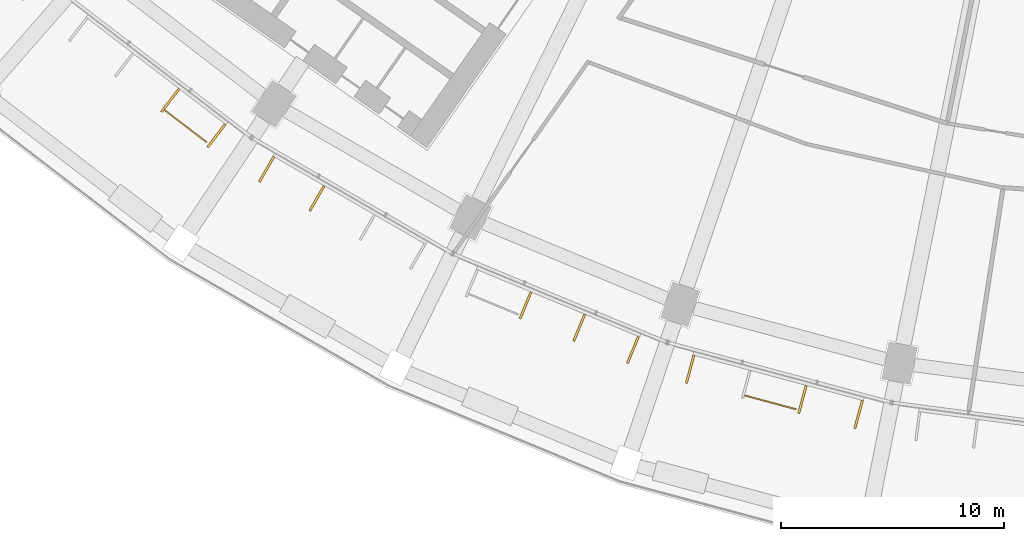
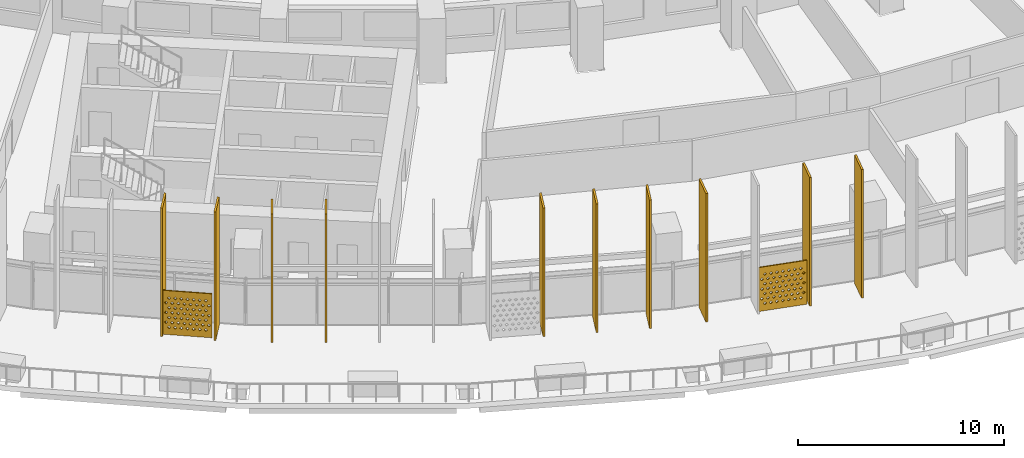
# One storey, part 25 of 35: 12 shading devices.
"""IFC4 building model written with IfcOpenShell, lengths in metres."""

from ifc_helpers import new_model, si_unit, direction, frame, origin, origin_2d, place, context, subcontext, project, spatial, polyline, rectangle, outline, extrude, material, material_profile, profile_set, type_object, element, save


model = new_model("IFC4")

# Units and contexts
model_context = context("Model", 3, precision=1e-05, world=origin(), true_north=direction((0.0, 1.0)))
body_context = subcontext(model_context, "Body", "Model", "MODEL_VIEW")
ifc_project = project(units=[si_unit("LENGTHUNIT", "METRE"), si_unit("AREAUNIT", "SQUARE_METRE"), si_unit("VOLUMEUNIT", "CUBIC_METRE"), si_unit("PLANEANGLEUNIT", "RADIAN"), si_unit("MASSUNIT", "GRAM", prefix="KILO")], contexts=[model_context])

# Site, building, storey
site_placement = place(None, origin())
site = spatial("IfcSite", under=ifc_project, at=site_placement, CompositionType="ELEMENT")
building_placement = place(site_placement, origin())
building = spatial("IfcBuilding", under=site, at=building_placement, Name="Qamariyya Broadcast Tower", CompositionType="ELEMENT")
storey_placement = place(building_placement, frame((0.0, 0.0, 40.5)))
storey = spatial("IfcBuildingStorey", under=building, at=storey_placement, Name="L06", CompositionType="ELEMENT", Elevation=40.5)

# Shading devices
ifc_material_1 = material(Name="Perforated glazed terracotta", Category="masonry")
ifc_material_profile_1 = material_profile(ifc_material_1, outline(polyline([(-1.199951171875, -1.300048828125), (1.199951171875, -1.300048828125), (1.199951171875, 1.300048828125), (-1.199951171875, 1.300048828125), (-1.199951171875, -1.300048828125)]), holes=[polyline([(-0.81494140625, -0.86669921875), (-0.89990234375, -0.78173828125), (-0.985107421875, -0.86669921875), (-0.89990234375, -0.95166015625), (-0.81494140625, -0.86669921875)]), polyline([(-0.514892578125, -0.86669921875), (-0.60009765625, -0.78173828125), (-0.68505859375, -0.86669921875), (-0.60009765625, -0.95166015625), (-0.514892578125, -0.86669921875)]), polyline([(-0.215087890625, -0.86669921875), (-0.300048828125, -0.78173828125), (-0.385009765625, -0.86669921875), (-0.300048828125, -0.95166015625), (-0.215087890625, -0.86669921875)]), polyline([(0.0849609375, -0.86669921875), (0.0, -0.78173828125), (-0.0849609375, -0.86669921875), (0.0, -0.95166015625), (0.0849609375, -0.86669921875)]), polyline([(0.385009765625, -0.86669921875), (0.300048828125, -0.78173828125), (0.215087890625, -0.86669921875), (0.300048828125, -0.95166015625), (0.385009765625, -0.86669921875)]), polyline([(0.68505859375, -0.86669921875), (0.60009765625, -0.78173828125), (0.514892578125, -0.86669921875), (0.60009765625, -0.95166015625), (0.68505859375, -0.86669921875)]), polyline([(0.985107421875, -0.86669921875), (0.89990234375, -0.78173828125), (0.81494140625, -0.86669921875), (0.89990234375, -0.95166015625), (0.985107421875, -0.86669921875)]), polyline([(-0.965087890625, -0.577880859375), (-1.050048828125, -0.49267578125), (-1.135009765625, -0.577880859375), (-1.050048828125, -0.662841796875), (-0.965087890625, -0.577880859375)]), polyline([(-0.6650390625, -0.577880859375), (-0.75, -0.49267578125), (-0.8349609375, -0.577880859375), (-0.75, -0.662841796875), (-0.6650390625, -0.577880859375)]), polyline([(-0.364990234375, -0.577880859375), (-0.449951171875, -0.49267578125), (-0.534912109375, -0.577880859375), (-0.449951171875, -0.662841796875), (-0.364990234375, -0.577880859375)]), polyline([(-0.06494140625, -0.577880859375), (-0.14990234375, -0.49267578125), (-0.235107421875, -0.577880859375), (-0.14990234375, -0.662841796875), (-0.06494140625, -0.577880859375)]), polyline([(0.235107421875, -0.577880859375), (0.14990234375, -0.49267578125), (0.06494140625, -0.577880859375), (0.14990234375, -0.662841796875), (0.235107421875, -0.577880859375)]), polyline([(0.534912109375, -0.577880859375), (0.449951171875, -0.49267578125), (0.364990234375, -0.577880859375), (0.449951171875, -0.662841796875), (0.534912109375, -0.577880859375)]), polyline([(0.8349609375, -0.577880859375), (0.75, -0.49267578125), (0.6650390625, -0.577880859375), (0.75, -0.662841796875), (0.8349609375, -0.577880859375)]), polyline([(1.135009765625, -0.577880859375), (1.050048828125, -0.49267578125), (0.965087890625, -0.577880859375), (1.050048828125, -0.662841796875), (1.135009765625, -0.577880859375)]), polyline([(-0.81494140625, -0.288818359375), (-0.89990234375, -0.203857421875), (-0.985107421875, -0.288818359375), (-0.89990234375, -0.373779296875), (-0.81494140625, -0.288818359375)]), polyline([(-0.514892578125, -0.288818359375), (-0.60009765625, -0.203857421875), (-0.68505859375, -0.288818359375), (-0.60009765625, -0.373779296875), (-0.514892578125, -0.288818359375)]), polyline([(-0.215087890625, -0.288818359375), (-0.300048828125, -0.203857421875), (-0.385009765625, -0.288818359375), (-0.300048828125, -0.373779296875), (-0.215087890625, -0.288818359375)]), polyline([(0.0849609375, -0.288818359375), (0.0, -0.203857421875), (-0.0849609375, -0.288818359375), (0.0, -0.373779296875), (0.0849609375, -0.288818359375)]), polyline([(0.385009765625, -0.288818359375), (0.300048828125, -0.203857421875), (0.215087890625, -0.288818359375), (0.300048828125, -0.373779296875), (0.385009765625, -0.288818359375)]), polyline([(0.68505859375, -0.288818359375), (0.60009765625, -0.203857421875), (0.514892578125, -0.288818359375), (0.60009765625, -0.373779296875), (0.68505859375, -0.288818359375)]), polyline([(0.985107421875, -0.288818359375), (0.89990234375, -0.203857421875), (0.81494140625, -0.288818359375), (0.89990234375, -0.373779296875), (0.985107421875, -0.288818359375)]), polyline([(-0.965087890625, 0.0), (-1.050048828125, 0.0849609375), (-1.135009765625, 0.0), (-1.050048828125, -0.0849609375), (-0.965087890625, 0.0)]), polyline([(-0.6650390625, 0.0), (-0.75, 0.0849609375), (-0.8349609375, 0.0), (-0.75, -0.0849609375), (-0.6650390625, 0.0)]), polyline([(-0.364990234375, 0.0), (-0.449951171875, 0.0849609375), (-0.534912109375, 0.0), (-0.449951171875, -0.0849609375), (-0.364990234375, 0.0)]), polyline([(-0.06494140625, 0.0), (-0.14990234375, 0.0849609375), (-0.235107421875, 0.0), (-0.14990234375, -0.0849609375), (-0.06494140625, 0.0)]), polyline([(0.235107421875, 0.0), (0.14990234375, 0.0849609375), (0.06494140625, 0.0), (0.14990234375, -0.0849609375), (0.235107421875, 0.0)]), polyline([(0.534912109375, 0.0), (0.449951171875, 0.0849609375), (0.364990234375, 0.0), (0.449951171875, -0.0849609375), (0.534912109375, 0.0)]), polyline([(0.8349609375, 0.0), (0.75, 0.0849609375), (0.6650390625, 0.0), (0.75, -0.0849609375), (0.8349609375, 0.0)]), polyline([(1.135009765625, 0.0), (1.050048828125, 0.0849609375), (0.965087890625, 0.0), (1.050048828125, -0.0849609375), (1.135009765625, 0.0)]), polyline([(-0.81494140625, 0.288818359375), (-0.89990234375, 0.373779296875), (-0.985107421875, 0.288818359375), (-0.89990234375, 0.203857421875), (-0.81494140625, 0.288818359375)]), polyline([(-0.514892578125, 0.288818359375), (-0.60009765625, 0.373779296875), (-0.68505859375, 0.288818359375), (-0.60009765625, 0.203857421875), (-0.514892578125, 0.288818359375)]), polyline([(-0.215087890625, 0.288818359375), (-0.300048828125, 0.373779296875), (-0.385009765625, 0.288818359375), (-0.300048828125, 0.203857421875), (-0.215087890625, 0.288818359375)]), polyline([(0.0849609375, 0.288818359375), (0.0, 0.373779296875), (-0.0849609375, 0.288818359375), (0.0, 0.203857421875), (0.0849609375, 0.288818359375)]), polyline([(0.385009765625, 0.288818359375), (0.300048828125, 0.373779296875), (0.215087890625, 0.288818359375), (0.300048828125, 0.203857421875), (0.385009765625, 0.288818359375)]), polyline([(0.68505859375, 0.288818359375), (0.60009765625, 0.373779296875), (0.514892578125, 0.288818359375), (0.60009765625, 0.203857421875), (0.68505859375, 0.288818359375)]), polyline([(0.985107421875, 0.288818359375), (0.89990234375, 0.373779296875), (0.81494140625, 0.288818359375), (0.89990234375, 0.203857421875), (0.985107421875, 0.288818359375)]), polyline([(-0.965087890625, 0.577880859375), (-1.050048828125, 0.662841796875), (-1.135009765625, 0.577880859375), (-1.050048828125, 0.49267578125), (-0.965087890625, 0.577880859375)]), polyline([(-0.6650390625, 0.577880859375), (-0.75, 0.662841796875), (-0.8349609375, 0.577880859375), (-0.75, 0.49267578125), (-0.6650390625, 0.577880859375)]), polyline([(-0.364990234375, 0.577880859375), (-0.449951171875, 0.662841796875), (-0.534912109375, 0.577880859375), (-0.449951171875, 0.49267578125), (-0.364990234375, 0.577880859375)]), polyline([(-0.06494140625, 0.577880859375), (-0.14990234375, 0.662841796875), (-0.235107421875, 0.577880859375), (-0.14990234375, 0.49267578125), (-0.06494140625, 0.577880859375)]), polyline([(0.235107421875, 0.577880859375), (0.14990234375, 0.662841796875), (0.06494140625, 0.577880859375), (0.14990234375, 0.49267578125), (0.235107421875, 0.577880859375)]), polyline([(0.534912109375, 0.577880859375), (0.449951171875, 0.662841796875), (0.364990234375, 0.577880859375), (0.449951171875, 0.49267578125), (0.534912109375, 0.577880859375)]), polyline([(0.8349609375, 0.577880859375), (0.75, 0.662841796875), (0.6650390625, 0.577880859375), (0.75, 0.49267578125), (0.8349609375, 0.577880859375)]), polyline([(1.135009765625, 0.577880859375), (1.050048828125, 0.662841796875), (0.965087890625, 0.577880859375), (1.050048828125, 0.49267578125), (1.135009765625, 0.577880859375)]), polyline([(-0.81494140625, 0.86669921875), (-0.89990234375, 0.95166015625), (-0.985107421875, 0.86669921875), (-0.89990234375, 0.78173828125), (-0.81494140625, 0.86669921875)]), polyline([(-0.514892578125, 0.86669921875), (-0.60009765625, 0.95166015625), (-0.68505859375, 0.86669921875), (-0.60009765625, 0.78173828125), (-0.514892578125, 0.86669921875)]), polyline([(-0.215087890625, 0.86669921875), (-0.300048828125, 0.95166015625), (-0.385009765625, 0.86669921875), (-0.300048828125, 0.78173828125), (-0.215087890625, 0.86669921875)]), polyline([(0.0849609375, 0.86669921875), (0.0, 0.95166015625), (-0.0849609375, 0.86669921875), (0.0, 0.78173828125), (0.0849609375, 0.86669921875)]), polyline([(0.385009765625, 0.86669921875), (0.300048828125, 0.95166015625), (0.215087890625, 0.86669921875), (0.300048828125, 0.78173828125), (0.385009765625, 0.86669921875)]), polyline([(0.68505859375, 0.86669921875), (0.60009765625, 0.95166015625), (0.514892578125, 0.86669921875), (0.60009765625, 0.78173828125), (0.68505859375, 0.86669921875)]), polyline([(0.985107421875, 0.86669921875), (0.89990234375, 0.95166015625), (0.81494140625, 0.86669921875), (0.89990234375, 0.78173828125), (0.985107421875, 0.86669921875)])]))
ifc_profile_set_1 = profile_set([ifc_material_profile_1], Name="Perforated glazed terracotta")
shading_device_type_1 = type_object("IfcShadingDeviceType", Name="Perforated terracotta screen 2400 x 2600", PredefinedType="USERDEFINED", material=ifc_profile_set_1)
shading_device_1_placement = place(storey_placement, frame((-47.13232421875, -65.61669921875, 1.35009765625), z_axis=(-0.607147566278, -0.794589096806, 0.0), x_axis=(0.794589096806, -0.607147566278, 0.0)))
element("IfcShadingDevice", 1, at=shading_device_1_placement, inside=storey, type_object=shading_device_type_1, Name="e-scr-L06-03-2", ObjectType="SCREEN", PredefinedType="USERDEFINED", context=body_context, shape_type="SweptSolid", body=[
    extrude(outline(polyline([(-1.199951171875, -1.300048828125), (1.199951171875, -1.300048828125), (1.199951171875, 1.300048828125), (-1.199951171875, 1.300048828125), (-1.199951171875, -1.300048828125)]), holes=[polyline([(-0.81494140625, -0.86669921875), (-0.89990234375, -0.78173828125), (-0.985107421875, -0.86669921875), (-0.89990234375, -0.95166015625), (-0.81494140625, -0.86669921875)]), polyline([(-0.514892578125, -0.86669921875), (-0.60009765625, -0.78173828125), (-0.68505859375, -0.86669921875), (-0.60009765625, -0.95166015625), (-0.514892578125, -0.86669921875)]), polyline([(-0.215087890625, -0.86669921875), (-0.300048828125, -0.78173828125), (-0.385009765625, -0.86669921875), (-0.300048828125, -0.95166015625), (-0.215087890625, -0.86669921875)]), polyline([(0.0849609375, -0.86669921875), (0.0, -0.78173828125), (-0.0849609375, -0.86669921875), (0.0, -0.95166015625), (0.0849609375, -0.86669921875)]), polyline([(0.385009765625, -0.86669921875), (0.300048828125, -0.78173828125), (0.215087890625, -0.86669921875), (0.300048828125, -0.95166015625), (0.385009765625, -0.86669921875)]), polyline([(0.68505859375, -0.86669921875), (0.60009765625, -0.78173828125), (0.514892578125, -0.86669921875), (0.60009765625, -0.95166015625), (0.68505859375, -0.86669921875)]), polyline([(0.985107421875, -0.86669921875), (0.89990234375, -0.78173828125), (0.81494140625, -0.86669921875), (0.89990234375, -0.95166015625), (0.985107421875, -0.86669921875)]), polyline([(-0.965087890625, -0.577880859375), (-1.050048828125, -0.49267578125), (-1.135009765625, -0.577880859375), (-1.050048828125, -0.662841796875), (-0.965087890625, -0.577880859375)]), polyline([(-0.6650390625, -0.577880859375), (-0.75, -0.49267578125), (-0.8349609375, -0.577880859375), (-0.75, -0.662841796875), (-0.6650390625, -0.577880859375)]), polyline([(-0.364990234375, -0.577880859375), (-0.449951171875, -0.49267578125), (-0.534912109375, -0.577880859375), (-0.449951171875, -0.662841796875), (-0.364990234375, -0.577880859375)]), polyline([(-0.06494140625, -0.577880859375), (-0.14990234375, -0.49267578125), (-0.235107421875, -0.577880859375), (-0.14990234375, -0.662841796875), (-0.06494140625, -0.577880859375)]), polyline([(0.235107421875, -0.577880859375), (0.14990234375, -0.49267578125), (0.06494140625, -0.577880859375), (0.14990234375, -0.662841796875), (0.235107421875, -0.577880859375)]), polyline([(0.534912109375, -0.577880859375), (0.449951171875, -0.49267578125), (0.364990234375, -0.577880859375), (0.449951171875, -0.662841796875), (0.534912109375, -0.577880859375)]), polyline([(0.8349609375, -0.577880859375), (0.75, -0.49267578125), (0.6650390625, -0.577880859375), (0.75, -0.662841796875), (0.8349609375, -0.577880859375)]), polyline([(1.135009765625, -0.577880859375), (1.050048828125, -0.49267578125), (0.965087890625, -0.577880859375), (1.050048828125, -0.662841796875), (1.135009765625, -0.577880859375)]), polyline([(-0.81494140625, -0.288818359375), (-0.89990234375, -0.203857421875), (-0.985107421875, -0.288818359375), (-0.89990234375, -0.373779296875), (-0.81494140625, -0.288818359375)]), polyline([(-0.514892578125, -0.288818359375), (-0.60009765625, -0.203857421875), (-0.68505859375, -0.288818359375), (-0.60009765625, -0.373779296875), (-0.514892578125, -0.288818359375)]), polyline([(-0.215087890625, -0.288818359375), (-0.300048828125, -0.203857421875), (-0.385009765625, -0.288818359375), (-0.300048828125, -0.373779296875), (-0.215087890625, -0.288818359375)]), polyline([(0.0849609375, -0.288818359375), (0.0, -0.203857421875), (-0.0849609375, -0.288818359375), (0.0, -0.373779296875), (0.0849609375, -0.288818359375)]), polyline([(0.385009765625, -0.288818359375), (0.300048828125, -0.203857421875), (0.215087890625, -0.288818359375), (0.300048828125, -0.373779296875), (0.385009765625, -0.288818359375)]), polyline([(0.68505859375, -0.288818359375), (0.60009765625, -0.203857421875), (0.514892578125, -0.288818359375), (0.60009765625, -0.373779296875), (0.68505859375, -0.288818359375)]), polyline([(0.985107421875, -0.288818359375), (0.89990234375, -0.203857421875), (0.81494140625, -0.288818359375), (0.89990234375, -0.373779296875), (0.985107421875, -0.288818359375)]), polyline([(-0.965087890625, 0.0), (-1.050048828125, 0.0849609375), (-1.135009765625, 0.0), (-1.050048828125, -0.0849609375), (-0.965087890625, 0.0)]), polyline([(-0.6650390625, 0.0), (-0.75, 0.0849609375), (-0.8349609375, 0.0), (-0.75, -0.0849609375), (-0.6650390625, 0.0)]), polyline([(-0.364990234375, 0.0), (-0.449951171875, 0.0849609375), (-0.534912109375, 0.0), (-0.449951171875, -0.0849609375), (-0.364990234375, 0.0)]), polyline([(-0.06494140625, 0.0), (-0.14990234375, 0.0849609375), (-0.235107421875, 0.0), (-0.14990234375, -0.0849609375), (-0.06494140625, 0.0)]), polyline([(0.235107421875, 0.0), (0.14990234375, 0.0849609375), (0.06494140625, 0.0), (0.14990234375, -0.0849609375), (0.235107421875, 0.0)]), polyline([(0.534912109375, 0.0), (0.449951171875, 0.0849609375), (0.364990234375, 0.0), (0.449951171875, -0.0849609375), (0.534912109375, 0.0)]), polyline([(0.8349609375, 0.0), (0.75, 0.0849609375), (0.6650390625, 0.0), (0.75, -0.0849609375), (0.8349609375, 0.0)]), polyline([(1.135009765625, 0.0), (1.050048828125, 0.0849609375), (0.965087890625, 0.0), (1.050048828125, -0.0849609375), (1.135009765625, 0.0)]), polyline([(-0.81494140625, 0.288818359375), (-0.89990234375, 0.373779296875), (-0.985107421875, 0.288818359375), (-0.89990234375, 0.203857421875), (-0.81494140625, 0.288818359375)]), polyline([(-0.514892578125, 0.288818359375), (-0.60009765625, 0.373779296875), (-0.68505859375, 0.288818359375), (-0.60009765625, 0.203857421875), (-0.514892578125, 0.288818359375)]), polyline([(-0.215087890625, 0.288818359375), (-0.300048828125, 0.373779296875), (-0.385009765625, 0.288818359375), (-0.300048828125, 0.203857421875), (-0.215087890625, 0.288818359375)]), polyline([(0.0849609375, 0.288818359375), (0.0, 0.373779296875), (-0.0849609375, 0.288818359375), (0.0, 0.203857421875), (0.0849609375, 0.288818359375)]), polyline([(0.385009765625, 0.288818359375), (0.300048828125, 0.373779296875), (0.215087890625, 0.288818359375), (0.300048828125, 0.203857421875), (0.385009765625, 0.288818359375)]), polyline([(0.68505859375, 0.288818359375), (0.60009765625, 0.373779296875), (0.514892578125, 0.288818359375), (0.60009765625, 0.203857421875), (0.68505859375, 0.288818359375)]), polyline([(0.985107421875, 0.288818359375), (0.89990234375, 0.373779296875), (0.81494140625, 0.288818359375), (0.89990234375, 0.203857421875), (0.985107421875, 0.288818359375)]), polyline([(-0.965087890625, 0.577880859375), (-1.050048828125, 0.662841796875), (-1.135009765625, 0.577880859375), (-1.050048828125, 0.49267578125), (-0.965087890625, 0.577880859375)]), polyline([(-0.6650390625, 0.577880859375), (-0.75, 0.662841796875), (-0.8349609375, 0.577880859375), (-0.75, 0.49267578125), (-0.6650390625, 0.577880859375)]), polyline([(-0.364990234375, 0.577880859375), (-0.449951171875, 0.662841796875), (-0.534912109375, 0.577880859375), (-0.449951171875, 0.49267578125), (-0.364990234375, 0.577880859375)]), polyline([(-0.06494140625, 0.577880859375), (-0.14990234375, 0.662841796875), (-0.235107421875, 0.577880859375), (-0.14990234375, 0.49267578125), (-0.06494140625, 0.577880859375)]), polyline([(0.235107421875, 0.577880859375), (0.14990234375, 0.662841796875), (0.06494140625, 0.577880859375), (0.14990234375, 0.49267578125), (0.235107421875, 0.577880859375)]), polyline([(0.534912109375, 0.577880859375), (0.449951171875, 0.662841796875), (0.364990234375, 0.577880859375), (0.449951171875, 0.49267578125), (0.534912109375, 0.577880859375)]), polyline([(0.8349609375, 0.577880859375), (0.75, 0.662841796875), (0.6650390625, 0.577880859375), (0.75, 0.49267578125), (0.8349609375, 0.577880859375)]), polyline([(1.135009765625, 0.577880859375), (1.050048828125, 0.662841796875), (0.965087890625, 0.577880859375), (1.050048828125, 0.49267578125), (1.135009765625, 0.577880859375)]), polyline([(-0.81494140625, 0.86669921875), (-0.89990234375, 0.95166015625), (-0.985107421875, 0.86669921875), (-0.89990234375, 0.78173828125), (-0.81494140625, 0.86669921875)]), polyline([(-0.514892578125, 0.86669921875), (-0.60009765625, 0.95166015625), (-0.68505859375, 0.86669921875), (-0.60009765625, 0.78173828125), (-0.514892578125, 0.86669921875)]), polyline([(-0.215087890625, 0.86669921875), (-0.300048828125, 0.95166015625), (-0.385009765625, 0.86669921875), (-0.300048828125, 0.78173828125), (-0.215087890625, 0.86669921875)]), polyline([(0.0849609375, 0.86669921875), (0.0, 0.95166015625), (-0.0849609375, 0.86669921875), (0.0, 0.78173828125), (0.0849609375, 0.86669921875)]), polyline([(0.385009765625, 0.86669921875), (0.300048828125, 0.95166015625), (0.215087890625, 0.86669921875), (0.300048828125, 0.78173828125), (0.385009765625, 0.86669921875)]), polyline([(0.68505859375, 0.86669921875), (0.60009765625, 0.95166015625), (0.514892578125, 0.86669921875), (0.60009765625, 0.78173828125), (0.68505859375, 0.86669921875)]), polyline([(0.985107421875, 0.86669921875), (0.89990234375, 0.95166015625), (0.81494140625, 0.86669921875), (0.89990234375, 0.78173828125), (0.985107421875, 0.86669921875)])]), origin(), (0.0, 0.0, 1.0), 0.059814453125),
])
shading_device_2_placement = place(storey_placement, frame((-20.949951171875, -77.984375, 1.35009765625), z_axis=(-0.259682438219, -0.965694067125, 0.0), x_axis=(0.965694067125, -0.259682438219, 0.0)))
element("IfcShadingDevice", 2, at=shading_device_2_placement, inside=storey, type_object=shading_device_type_1, Name="e-scr-L06-06-1", ObjectType="SCREEN", PredefinedType="USERDEFINED", context=body_context, shape_type="SweptSolid", body=[
    extrude(outline(polyline([(-1.199951171875, -1.300048828125), (1.199951171875, -1.300048828125), (1.199951171875, 1.300048828125), (-1.199951171875, 1.300048828125), (-1.199951171875, -1.300048828125)]), holes=[polyline([(-0.81494140625, -0.86669921875), (-0.89990234375, -0.78173828125), (-0.985107421875, -0.86669921875), (-0.89990234375, -0.95166015625), (-0.81494140625, -0.86669921875)]), polyline([(-0.514892578125, -0.86669921875), (-0.60009765625, -0.78173828125), (-0.68505859375, -0.86669921875), (-0.60009765625, -0.95166015625), (-0.514892578125, -0.86669921875)]), polyline([(-0.215087890625, -0.86669921875), (-0.300048828125, -0.78173828125), (-0.385009765625, -0.86669921875), (-0.300048828125, -0.95166015625), (-0.215087890625, -0.86669921875)]), polyline([(0.0849609375, -0.86669921875), (0.0, -0.78173828125), (-0.0849609375, -0.86669921875), (0.0, -0.95166015625), (0.0849609375, -0.86669921875)]), polyline([(0.385009765625, -0.86669921875), (0.300048828125, -0.78173828125), (0.215087890625, -0.86669921875), (0.300048828125, -0.95166015625), (0.385009765625, -0.86669921875)]), polyline([(0.68505859375, -0.86669921875), (0.60009765625, -0.78173828125), (0.514892578125, -0.86669921875), (0.60009765625, -0.95166015625), (0.68505859375, -0.86669921875)]), polyline([(0.985107421875, -0.86669921875), (0.89990234375, -0.78173828125), (0.81494140625, -0.86669921875), (0.89990234375, -0.95166015625), (0.985107421875, -0.86669921875)]), polyline([(-0.965087890625, -0.577880859375), (-1.050048828125, -0.49267578125), (-1.135009765625, -0.577880859375), (-1.050048828125, -0.662841796875), (-0.965087890625, -0.577880859375)]), polyline([(-0.6650390625, -0.577880859375), (-0.75, -0.49267578125), (-0.8349609375, -0.577880859375), (-0.75, -0.662841796875), (-0.6650390625, -0.577880859375)]), polyline([(-0.364990234375, -0.577880859375), (-0.449951171875, -0.49267578125), (-0.534912109375, -0.577880859375), (-0.449951171875, -0.662841796875), (-0.364990234375, -0.577880859375)]), polyline([(-0.06494140625, -0.577880859375), (-0.14990234375, -0.49267578125), (-0.235107421875, -0.577880859375), (-0.14990234375, -0.662841796875), (-0.06494140625, -0.577880859375)]), polyline([(0.235107421875, -0.577880859375), (0.14990234375, -0.49267578125), (0.06494140625, -0.577880859375), (0.14990234375, -0.662841796875), (0.235107421875, -0.577880859375)]), polyline([(0.534912109375, -0.577880859375), (0.449951171875, -0.49267578125), (0.364990234375, -0.577880859375), (0.449951171875, -0.662841796875), (0.534912109375, -0.577880859375)]), polyline([(0.8349609375, -0.577880859375), (0.75, -0.49267578125), (0.6650390625, -0.577880859375), (0.75, -0.662841796875), (0.8349609375, -0.577880859375)]), polyline([(1.135009765625, -0.577880859375), (1.050048828125, -0.49267578125), (0.965087890625, -0.577880859375), (1.050048828125, -0.662841796875), (1.135009765625, -0.577880859375)]), polyline([(-0.81494140625, -0.288818359375), (-0.89990234375, -0.203857421875), (-0.985107421875, -0.288818359375), (-0.89990234375, -0.373779296875), (-0.81494140625, -0.288818359375)]), polyline([(-0.514892578125, -0.288818359375), (-0.60009765625, -0.203857421875), (-0.68505859375, -0.288818359375), (-0.60009765625, -0.373779296875), (-0.514892578125, -0.288818359375)]), polyline([(-0.215087890625, -0.288818359375), (-0.300048828125, -0.203857421875), (-0.385009765625, -0.288818359375), (-0.300048828125, -0.373779296875), (-0.215087890625, -0.288818359375)]), polyline([(0.0849609375, -0.288818359375), (0.0, -0.203857421875), (-0.0849609375, -0.288818359375), (0.0, -0.373779296875), (0.0849609375, -0.288818359375)]), polyline([(0.385009765625, -0.288818359375), (0.300048828125, -0.203857421875), (0.215087890625, -0.288818359375), (0.300048828125, -0.373779296875), (0.385009765625, -0.288818359375)]), polyline([(0.68505859375, -0.288818359375), (0.60009765625, -0.203857421875), (0.514892578125, -0.288818359375), (0.60009765625, -0.373779296875), (0.68505859375, -0.288818359375)]), polyline([(0.985107421875, -0.288818359375), (0.89990234375, -0.203857421875), (0.81494140625, -0.288818359375), (0.89990234375, -0.373779296875), (0.985107421875, -0.288818359375)]), polyline([(-0.965087890625, 0.0), (-1.050048828125, 0.0849609375), (-1.135009765625, 0.0), (-1.050048828125, -0.0849609375), (-0.965087890625, 0.0)]), polyline([(-0.6650390625, 0.0), (-0.75, 0.0849609375), (-0.8349609375, 0.0), (-0.75, -0.0849609375), (-0.6650390625, 0.0)]), polyline([(-0.364990234375, 0.0), (-0.449951171875, 0.0849609375), (-0.534912109375, 0.0), (-0.449951171875, -0.0849609375), (-0.364990234375, 0.0)]), polyline([(-0.06494140625, 0.0), (-0.14990234375, 0.0849609375), (-0.235107421875, 0.0), (-0.14990234375, -0.0849609375), (-0.06494140625, 0.0)]), polyline([(0.235107421875, 0.0), (0.14990234375, 0.0849609375), (0.06494140625, 0.0), (0.14990234375, -0.0849609375), (0.235107421875, 0.0)]), polyline([(0.534912109375, 0.0), (0.449951171875, 0.0849609375), (0.364990234375, 0.0), (0.449951171875, -0.0849609375), (0.534912109375, 0.0)]), polyline([(0.8349609375, 0.0), (0.75, 0.0849609375), (0.6650390625, 0.0), (0.75, -0.0849609375), (0.8349609375, 0.0)]), polyline([(1.135009765625, 0.0), (1.050048828125, 0.0849609375), (0.965087890625, 0.0), (1.050048828125, -0.0849609375), (1.135009765625, 0.0)]), polyline([(-0.81494140625, 0.288818359375), (-0.89990234375, 0.373779296875), (-0.985107421875, 0.288818359375), (-0.89990234375, 0.203857421875), (-0.81494140625, 0.288818359375)]), polyline([(-0.514892578125, 0.288818359375), (-0.60009765625, 0.373779296875), (-0.68505859375, 0.288818359375), (-0.60009765625, 0.203857421875), (-0.514892578125, 0.288818359375)]), polyline([(-0.215087890625, 0.288818359375), (-0.300048828125, 0.373779296875), (-0.385009765625, 0.288818359375), (-0.300048828125, 0.203857421875), (-0.215087890625, 0.288818359375)]), polyline([(0.0849609375, 0.288818359375), (0.0, 0.373779296875), (-0.0849609375, 0.288818359375), (0.0, 0.203857421875), (0.0849609375, 0.288818359375)]), polyline([(0.385009765625, 0.288818359375), (0.300048828125, 0.373779296875), (0.215087890625, 0.288818359375), (0.300048828125, 0.203857421875), (0.385009765625, 0.288818359375)]), polyline([(0.68505859375, 0.288818359375), (0.60009765625, 0.373779296875), (0.514892578125, 0.288818359375), (0.60009765625, 0.203857421875), (0.68505859375, 0.288818359375)]), polyline([(0.985107421875, 0.288818359375), (0.89990234375, 0.373779296875), (0.81494140625, 0.288818359375), (0.89990234375, 0.203857421875), (0.985107421875, 0.288818359375)]), polyline([(-0.965087890625, 0.577880859375), (-1.050048828125, 0.662841796875), (-1.135009765625, 0.577880859375), (-1.050048828125, 0.49267578125), (-0.965087890625, 0.577880859375)]), polyline([(-0.6650390625, 0.577880859375), (-0.75, 0.662841796875), (-0.8349609375, 0.577880859375), (-0.75, 0.49267578125), (-0.6650390625, 0.577880859375)]), polyline([(-0.364990234375, 0.577880859375), (-0.449951171875, 0.662841796875), (-0.534912109375, 0.577880859375), (-0.449951171875, 0.49267578125), (-0.364990234375, 0.577880859375)]), polyline([(-0.06494140625, 0.577880859375), (-0.14990234375, 0.662841796875), (-0.235107421875, 0.577880859375), (-0.14990234375, 0.49267578125), (-0.06494140625, 0.577880859375)]), polyline([(0.235107421875, 0.577880859375), (0.14990234375, 0.662841796875), (0.06494140625, 0.577880859375), (0.14990234375, 0.49267578125), (0.235107421875, 0.577880859375)]), polyline([(0.534912109375, 0.577880859375), (0.449951171875, 0.662841796875), (0.364990234375, 0.577880859375), (0.449951171875, 0.49267578125), (0.534912109375, 0.577880859375)]), polyline([(0.8349609375, 0.577880859375), (0.75, 0.662841796875), (0.6650390625, 0.577880859375), (0.75, 0.49267578125), (0.8349609375, 0.577880859375)]), polyline([(1.135009765625, 0.577880859375), (1.050048828125, 0.662841796875), (0.965087890625, 0.577880859375), (1.050048828125, 0.49267578125), (1.135009765625, 0.577880859375)]), polyline([(-0.81494140625, 0.86669921875), (-0.89990234375, 0.95166015625), (-0.985107421875, 0.86669921875), (-0.89990234375, 0.78173828125), (-0.81494140625, 0.86669921875)]), polyline([(-0.514892578125, 0.86669921875), (-0.60009765625, 0.95166015625), (-0.68505859375, 0.86669921875), (-0.60009765625, 0.78173828125), (-0.514892578125, 0.86669921875)]), polyline([(-0.215087890625, 0.86669921875), (-0.300048828125, 0.95166015625), (-0.385009765625, 0.86669921875), (-0.300048828125, 0.78173828125), (-0.215087890625, 0.86669921875)]), polyline([(0.0849609375, 0.86669921875), (0.0, 0.95166015625), (-0.0849609375, 0.86669921875), (0.0, 0.78173828125), (0.0849609375, 0.86669921875)]), polyline([(0.385009765625, 0.86669921875), (0.300048828125, 0.95166015625), (0.215087890625, 0.86669921875), (0.300048828125, 0.78173828125), (0.385009765625, 0.86669921875)]), polyline([(0.68505859375, 0.86669921875), (0.60009765625, 0.95166015625), (0.514892578125, 0.86669921875), (0.60009765625, 0.78173828125), (0.68505859375, 0.86669921875)]), polyline([(0.985107421875, 0.86669921875), (0.89990234375, 0.95166015625), (0.81494140625, 0.86669921875), (0.89990234375, 0.78173828125), (0.985107421875, 0.86669921875)])]), origin(), (0.0, 0.0, 1.0), 0.06005859375),
])
ifc_material_2 = material(Name="Glazed terracotta", Category="masonry")
ifc_material_profile_2 = material_profile(ifc_material_2, rectangle(XDim=1.300048828125, YDim=0.10009765625, at=origin_2d()))
ifc_profile_set_2 = profile_set([ifc_material_profile_2], Name="Glazed terracotta")
shading_device_type_2 = type_object("IfcShadingDeviceType", Name="Terracotta fin 100 x 1300", PredefinedType="USERDEFINED", material=ifc_profile_set_2)
for number, where, z_axis, x_axis, name in (
    (3, (-47.837890625, -64.48291015625, 0.0), (0.0, 0.0, 1.0), (-0.608761429009, -0.793353340291, 0.0), "e-fin-L06-03-2"),
    (4, (-45.771484375, -66.068359375, 0.0), (0.0, 0.0, 1.0), (-0.608761429009, -0.793353340291, 0.0), "e-fin-L06-03-3"),
    (5, (-43.523193359375, -67.570556640625, 0.0), (0.0, 0.0, 1.0), (-0.5, -0.866025403784, 0.0), "e-fin-L06-04-0"),
    (6, (-41.267578125, -68.872802734375, 0.0), (0.0, 0.0, 1.0), (-0.5, -0.866025403784, 0.0), "e-fin-L06-04-1"),
    (7, (-31.9248046875, -73.670166015625, 0.0), (0.0, 0.0, 1.0), (-0.382683432365, -0.923879532511, 0.0), "e-fin-L06-05-1"),
    (8, (-29.518310546875, -74.6669921875, 0.0), (0.0, 0.0, 1.0), (-0.382683432365, -0.923879532511, 0.0), "e-fin-L06-05-2"),
    (9, (-27.112060546875, -75.663818359375, 0.0), (0.0, 0.0, 1.0), (-0.382683432365, -0.923879532511, 0.0), "e-fin-L06-05-3"),
    (10, (-24.5517578125, -76.53271484375, 0.0), (0.0, 0.0, 1.0), (-0.258819045103, -0.965925826289, 0.0), "e-fin-L06-06-0"),
    (11, (-19.519775390625, -77.881103515625, 0.0), (0.0, 0.0, 1.0), (-0.258819045103, -0.965925826289, 0.0), "e-fin-L06-06-2"),
    (12, (-17.00390625, -78.55517578125, 0.0), (0.0, 0.0, 1.0), (-0.258819045103, -0.965925826289, 0.0), "e-fin-L06-06-3"),
):
    element("IfcShadingDevice", number, at=place(storey_placement, frame(where, z_axis=z_axis, x_axis=x_axis)), inside=storey, type_object=shading_device_type_2, Name=name, ObjectType="FIN", PredefinedType="USERDEFINED", context=body_context, shape_type="SweptSolid", body=[
        extrude(rectangle(XDim=1.300048828125, YDim=0.10009765625, at=origin_2d()), origin(), (0.0, 0.0, 1.0), 7.60009765625),
    ])

save(model, "model.ifc")
